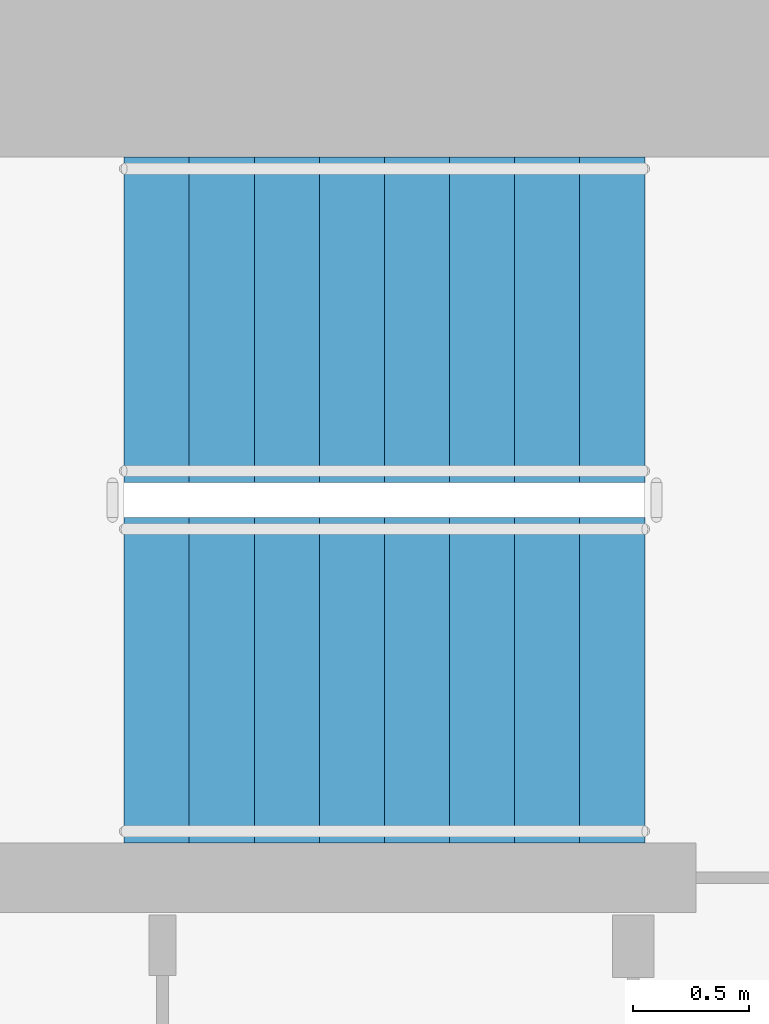
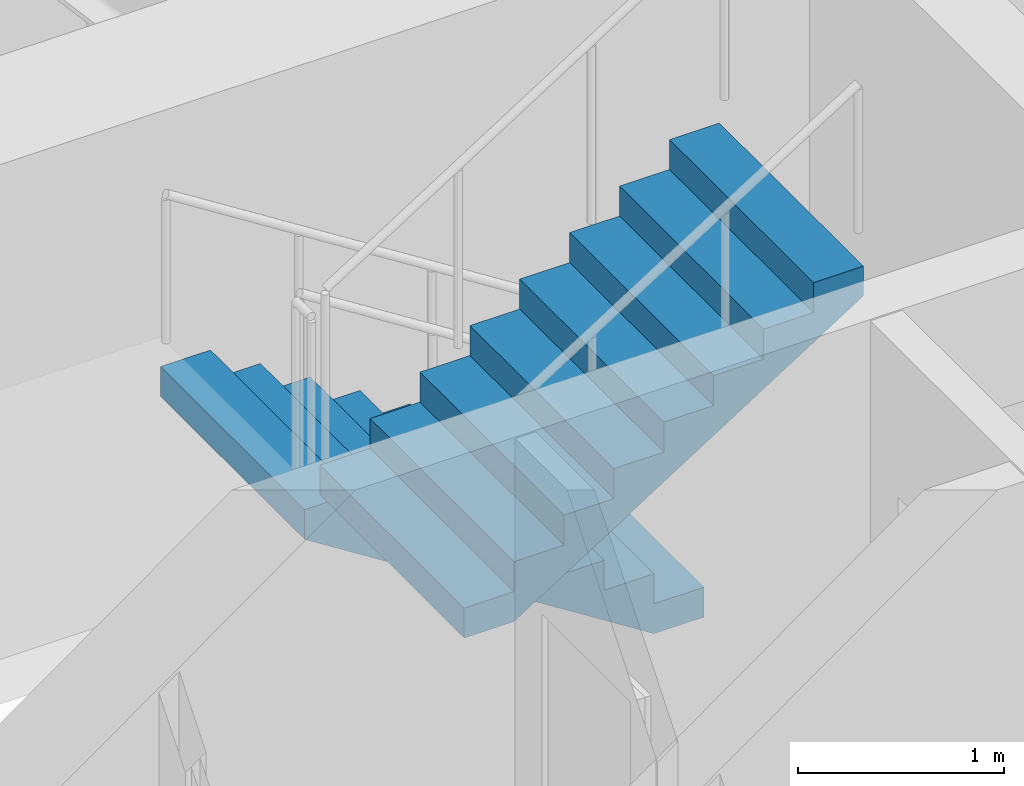
# One storey, part 13 of 18: 2 stair flights, 1 element without a shape of its own.
"""IFC4 building model written with IfcOpenShell, lengths in metres."""

from ifc_helpers import new_model, si_unit, direction, frame, origin, place, context, subcontext, project, spatial, polyline, outline, extrude, source, transform, mapped, material, type_object, element, aggregate, save


model = new_model("IFC4")

# Units and contexts
model_context = context("Model", 3, precision=1e-05, world=origin(), true_north=direction((0.0, 1.0)))
body_context = subcontext(model_context, "Body", "Model", "MODEL_VIEW")
ifc_project = project(units=[si_unit("LENGTHUNIT", "METRE"), si_unit("AREAUNIT", "SQUARE_METRE"), si_unit("VOLUMEUNIT", "CUBIC_METRE"), si_unit("PLANEANGLEUNIT", "RADIAN"), si_unit("MASSUNIT", "GRAM", prefix="KILO")], contexts=[model_context])

# Site, building, storey
site_placement = place(None, origin())
site = spatial("IfcSite", under=ifc_project, at=site_placement, CompositionType="ELEMENT")
building_placement = place(site_placement, origin())
building = spatial("IfcBuilding", under=site, at=building_placement, Name="Qafzar Sky-Pleat Residences", CompositionType="ELEMENT")
storey_placement = place(building_placement, frame((0.0, 0.0, 27.0)))
storey = spatial("IfcBuildingStorey", under=building, at=storey_placement, Name="L07", CompositionType="ELEMENT", Elevation=27.0)

# Stair, stair flights
ifc_material = material(Name="Concrete C40/50", Category="concrete")
stair_type = type_object("IfcStairType", Name="STAIR-H320", PredefinedType="HALF_TURN_STAIR", material=ifc_material)
stair_placement = place(storey_placement, origin())
stair = element("IfcStair", 1, at=stair_placement, inside=storey, type_object=stair_type, Name="L07 Protected Exit Stair ST2", PredefinedType="HALF_TURN_STAIR")
stair_flight_type = type_object("IfcStairFlightType", Name="FLIGHT-H320", PredefinedType="STRAIGHT", material=ifc_material)
shared_shape = source(origin(), body_context, "Body", "SweptSolid", [
    extrude(outline(polyline([(0.0, 0.0), (0.0, 0.177734375), (0.280029296875, 0.177734375), (0.280029296875, 0.35546875), (0.56005859375, 0.35546875), (0.56005859375, 0.533447265625), (0.840087890625, 0.533447265625), (0.840087890625, 0.711181640625), (1.1201171875, 0.711181640625), (1.1201171875, 0.888916015625), (1.39990234375, 0.888916015625), (1.39990234375, 1.066650390625), (1.679931640625, 1.066650390625), (1.679931640625, 1.244384765625), (1.9599609375, 1.244384765625), (1.9599609375, 1.422119140625), (2.239990234375, 1.422119140625), (2.239990234375, 1.60009765625), (2.239990234375, 1.24462890625), (0.27978515625, 0.0), (0.0, 0.0)])), frame((0.0, 0.699951171875, 0.0), z_axis=(0.0, -1.0, 0.0), x_axis=(1.0, 0.0, 0.0)), (0.0, 0.0, 1.0), 1.39990234375),
])
stair_flight_1_placement = place(storey_placement, frame((30.800048828125, 33.10009765625, 0.0), z_axis=(0.0, 0.0, 1.0), x_axis=(-1.0, 0.0, 0.0)))
stair_flight_1 = element("IfcStairFlight", 2, at=stair_flight_1_placement, type_object=stair_flight_type, Name="ST2 flight 1", NumberOfRisers=9, NumberOfTreads=8, PredefinedType="STRAIGHT", RiserHeight=0.177777778, TreadLength=0.28, context=body_context, shape_type="MappedRepresentation", body=[
    mapped(shared_shape, transform((0.0, 0.0, 0.0), x_axis=(1.0, 0.0, 0.0), y_axis=(0.0, 1.0, 0.0), z_axis=(0.0, 0.0, 1.0), scale=1.0)),
])
stair_flight_2_placement = place(storey_placement, frame((28.56005859375, 31.550048828125, 1.60009765625), z_axis=(0.0, 0.0, 1.0), x_axis=(1.0, 0.0, 0.0)))
stair_flight_2 = element("IfcStairFlight", 3, at=stair_flight_2_placement, type_object=stair_flight_type, Name="ST2 flight 2", NumberOfRisers=9, NumberOfTreads=8, PredefinedType="STRAIGHT", RiserHeight=0.177777778, TreadLength=0.28, context=body_context, shape_type="MappedRepresentation", body=[
    mapped(shared_shape, transform((0.0, 0.0, 0.0), x_axis=(1.0, 0.0, 0.0), y_axis=(0.0, 1.0, 0.0), z_axis=(0.0, 0.0, 1.0), scale=1.0)),
])
aggregate(stair, [stair_flight_1, stair_flight_2])

save(model, "model.ifc")
